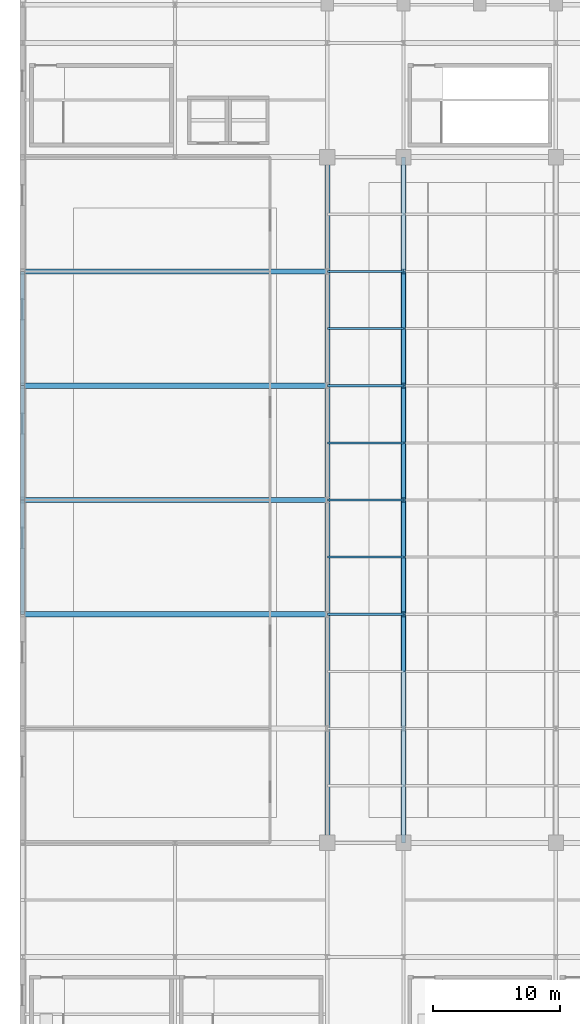
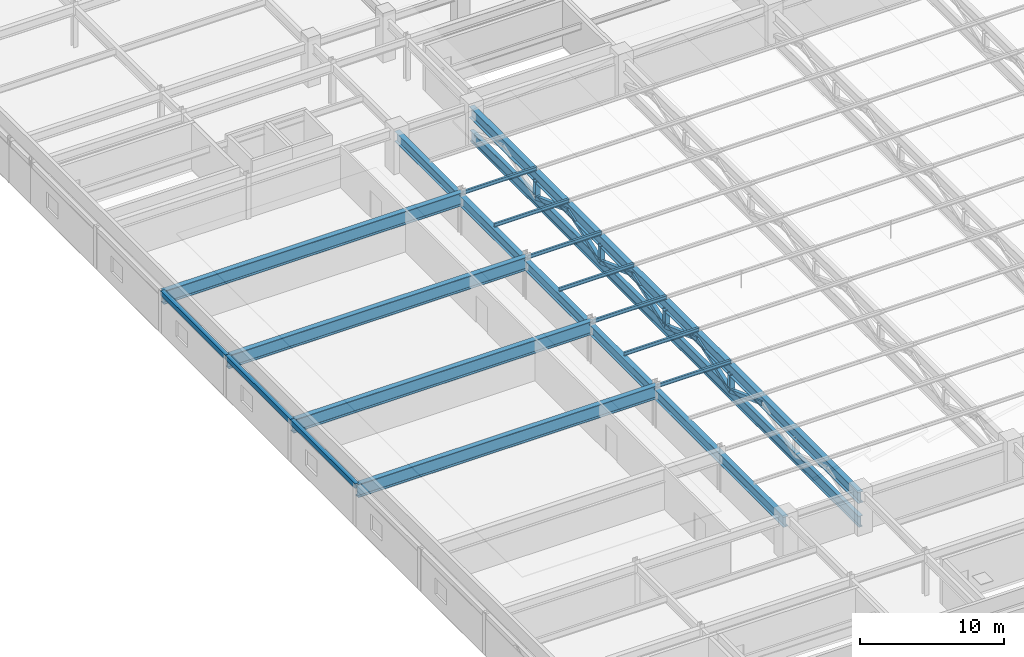
# One storey, part 27 of 108: 19 members, 9 beams.
"""IFC4 building model written with IfcOpenShell, lengths in metres."""

from ifc_helpers import new_model, si_unit, direction, frame, origin, origin_2d, place, context, subcontext, project, spatial, hollow_rectangle, i_section, extrude, material, material_profile, profile_set, type_object, element, save


model = new_model("IFC4")

# Units and contexts
model_context = context("Model", 3, precision=1e-05, world=origin(), true_north=direction((0.0, 1.0)))
body_context = subcontext(model_context, "Body", "Model", "MODEL_VIEW")
ifc_project = project(units=[si_unit("LENGTHUNIT", "METRE"), si_unit("AREAUNIT", "SQUARE_METRE"), si_unit("VOLUMEUNIT", "CUBIC_METRE"), si_unit("PLANEANGLEUNIT", "RADIAN"), si_unit("MASSUNIT", "GRAM", prefix="KILO")], contexts=[model_context])

# Site, building, storey
site_placement = place(None, origin())
site = spatial("IfcSite", under=ifc_project, at=site_placement, CompositionType="ELEMENT")
building_placement = place(site_placement, origin())
building = spatial("IfcBuilding", under=site, at=building_placement, Name="Kaldorvane Square Convention Centre", CompositionType="ELEMENT")
storey_placement = place(building_placement, frame((0.0, 0.0, 23.399993896484375)))
storey = spatial("IfcBuildingStorey", under=building, at=storey_placement, Name="L04", CompositionType="ELEMENT", Elevation=23.399993896484375)

# Beams
ifc_material_1 = material(Name="Steel ASTM A992 Gr. 50", Category="steel")
ifc_material_profile_1 = material_profile(ifc_material_1, i_section(OverallWidth=0.39990234375, OverallDepth=0.855499267578125, WebThickness=0.0182037353515625, FlangeThickness=0.029205322265625, FilletRadius=0.0178070068359375, at=origin_2d()), Name="W33X201")
ifc_profile_set_1 = profile_set([ifc_material_profile_1], Name="Steel ASTM A992 Gr. 50")
beam_type_1 = type_object("IfcBeamType", Name="BM-GR-W33X201", PredefinedType="BEAM", material=ifc_profile_set_1)
beam_1_placement = place(storey_placement, frame((24.0, 18.0, 2.7798004150390625), z_axis=(0.0, 1.0, 0.0), x_axis=(-1.0, 0.0, 0.0)))
element("IfcBeam", 1, at=beam_1_placement, inside=storey, type_object=beam_type_1, Name="West Hall Roof Edge Girder", PredefinedType="BEAM", context=body_context, shape_type="SweptSolid", body=[
    extrude(i_section(OverallWidth=0.39990234375, OverallDepth=0.855499267578125, WebThickness=0.0182037353515625, FlangeThickness=0.029205322265625, FilletRadius=0.0178070068359375, at=origin_2d()), origin(), (0.0, 0.0, 1.0), 54.0),
])
ifc_material_profile_2 = material_profile(ifc_material_1, i_section(OverallWidth=0.423004150390625, OverallDepth=0.9481964111328125, WebThickness=0.0240020751953125, FlangeThickness=0.042694091796875, FilletRadius=0.0240936279296875, at=origin_2d()), Name="W36X302")
ifc_profile_set_2 = profile_set([ifc_material_profile_2], Name="Steel ASTM A992 Gr. 50")
beam_type_2 = type_object("IfcBeamType", Name="BM-GR-W36X302", PredefinedType="BEAM", material=ifc_profile_set_2)
beam_2_placement = place(storey_placement, frame((30.0, 18.0, 2.7335052490234375), z_axis=(0.0, 1.0, 0.0), x_axis=(-1.0, 0.0, 0.0)))
element("IfcBeam", 2, at=beam_2_placement, inside=storey, type_object=beam_type_2, Name="Hall Roof Truss RT-01 Top Chord", PredefinedType="BEAM", context=body_context, shape_type="SweptSolid", body=[
    extrude(i_section(OverallWidth=0.423004150390625, OverallDepth=0.9481964111328125, WebThickness=0.0240020751953125, FlangeThickness=0.042694091796875, FilletRadius=0.0240936279296875, at=origin_2d()), origin(), (0.0, 0.0, 1.0), 54.0),
])
ifc_material_profile_3 = material_profile(ifc_material_1, i_section(OverallWidth=0.404998779296875, OverallDepth=1.1179962158203125, WebThickness=0.0261993408203125, FlangeThickness=0.0449981689453125, FilletRadius=0.0254058837890625, at=origin_2d()), Name="W44X335")
ifc_profile_set_3 = profile_set([ifc_material_profile_3], Name="Steel ASTM A992 Gr. 50")
beam_type_3 = type_object("IfcBeamType", Name="BM-GR-W44X335", PredefinedType="BEAM", material=ifc_profile_set_3)
for number, where, z_axis, x_axis, name in (
    (3, (0.0, 36.0, 2.967010498046875), (1.0, 0.0, 0.0), (0.0, 1.0, 0.0), "Service Yard Long-Span Girder (L04)"),
    (4, (0.0, 45.0, 2.967010498046875), (1.0, 0.0, 0.0), (0.0, 1.0, 0.0), "Service Yard Long-Span Girder (L04)"),
    (5, (0.0, 54.0, 2.967010498046875), (1.0, 0.0, 0.0), (0.0, 1.0, 0.0), "Service Yard Long-Span Girder (L04)"),
    (6, (0.0, 63.0, 2.967010498046875), (1.0, 0.0, 0.0), (0.0, 1.0, 0.0), "Service Yard Long-Span Girder (L04)"),
):
    element("IfcBeam", number, at=place(storey_placement, frame(where, z_axis=z_axis, x_axis=x_axis)), inside=storey, type_object=beam_type_3, Name=name, PredefinedType="BEAM", context=body_context, shape_type="SweptSolid", body=[
        extrude(i_section(OverallWidth=0.404998779296875, OverallDepth=1.1179962158203125, WebThickness=0.0261993408203125, FlangeThickness=0.0449981689453125, FilletRadius=0.0254058837890625, at=origin_2d()), origin(), (0.0, 0.0, 1.0), 24.0),
    ])
ifc_material_2 = material(Name="Steel ASTM A500 Gr. C", Category="steel")
ifc_material_profile_4 = material_profile(ifc_material_2, hollow_rectangle(XDim=0.3047943115234375, YDim=0.406402587890625, WallThickness=0.0117950439453125, at=origin_2d()), Name="HSS16X12X1/2")
ifc_profile_set_4 = profile_set([ifc_material_profile_4], Name="Steel ASTM A500 Gr. C")
beam_type_4 = type_object("IfcBeamType", Name="BM-SP-HSS16", PredefinedType="SPANDREL", material=ifc_profile_set_4)
for number, where, z_axis, x_axis, name in (
    (7, (0.0, 36.0, 3.3227996826171875), (0.0, 1.0, 0.0), (-1.0, 0.0, 0.0), "End Spandrel (L04)"),
    (8, (0.0, 45.0, 3.3227996826171875), (0.0, 1.0, 0.0), (-1.0, 0.0, 0.0), "End Spandrel (L04)"),
    (9, (0.0, 54.0, 3.3227996826171875), (0.0, 1.0, 0.0), (-1.0, 0.0, 0.0), "End Spandrel (L04)"),
):
    element("IfcBeam", number, at=place(storey_placement, frame(where, z_axis=z_axis, x_axis=x_axis)), inside=storey, type_object=beam_type_4, Name=name, PredefinedType="SPANDREL", context=body_context, shape_type="SweptSolid", body=[
        extrude(hollow_rectangle(XDim=0.3047943115234375, YDim=0.406402587890625, WallThickness=0.0117950439453125, at=origin_2d()), origin(), (0.0, 0.0, 1.0), 9.0),
    ])

# Members
ifc_material_profile_5 = material_profile(ifc_material_2, hollow_rectangle(XDim=0.3047943115234375, YDim=0.3047943115234375, WallThickness=0.0117950439453125, at=origin_2d()), Name="HSS12X12X1/2")
ifc_profile_set_5 = profile_set([ifc_material_profile_5], Name="Steel ASTM A500 Gr. C")
member_type_1 = type_object("IfcMemberType", Name="MB-BR-HSS12", PredefinedType="BRACE", material=ifc_profile_set_5)
for number, where, z_axis, x_axis, name in (
    (10, (30.0, 31.5, 2.5535125732421875), (0.0, 0.937283847769, -0.348567050524), (-1.0, 0.0, 0.0), "Hall Roof Truss RT-01 Web 2B"),
    (11, (30.0, 36.0, 0.8800048828125), (0.0, 0.937283847769, 0.348567050524), (-1.0, 0.0, 0.0), "Hall Roof Truss RT-01 Web 3A"),
    (12, (30.0, 40.5, 2.5535125732421875), (0.0, 0.937283847769, -0.348567050524), (-1.0, 0.0, 0.0), "Hall Roof Truss RT-01 Web 3B"),
    (13, (30.0, 45.0, 0.8800048828125), (0.0, 0.937283847769, 0.348567050524), (-1.0, 0.0, 0.0), "Hall Roof Truss RT-01 Web 4A"),
    (14, (30.0, 49.5, 2.5535125732421875), (0.0, 0.937283847769, -0.348567050524), (-1.0, 0.0, 0.0), "Hall Roof Truss RT-01 Web 4B"),
    (15, (30.0, 54.0, 0.8800048828125), (0.0, 0.937283847769, 0.348567050524), (-1.0, 0.0, 0.0), "Hall Roof Truss RT-01 Web 5A"),
    (16, (30.0, 58.5, 2.5535125732421875), (0.0, 0.937283847769, -0.348567050524), (-1.0, 0.0, 0.0), "Hall Roof Truss RT-01 Web 5B"),
):
    element("IfcMember", number, at=place(storey_placement, frame(where, z_axis=z_axis, x_axis=x_axis)), inside=storey, type_object=member_type_1, Name=name, PredefinedType="BRACE", context=body_context, shape_type="SweptSolid", body=[
        extrude(hollow_rectangle(XDim=0.3047943115234375, YDim=0.3047943115234375, WallThickness=0.0117950439453125, at=origin_2d()), origin(), (0.0, 0.0, 1.0), 4.8011016845703125),
    ])
ifc_material_profile_6 = material_profile(ifc_material_1, i_section(OverallWidth=0.310302734375, OverallDepth=0.9506988525390625, WebThickness=0.0243988037109375, FlangeThickness=0.0438995361328125, FilletRadius=0.0240936279296875, at=origin_2d()), Name="W36X256")
ifc_profile_set_6 = profile_set([ifc_material_profile_6], Name="Steel ASTM A992 Gr. 50")
member_type_2 = type_object("IfcMemberType", Name="MB-CH-W36X256", PredefinedType="CHORD", material=ifc_profile_set_6)
member_placement = place(storey_placement, frame((30.0, 18.0, 0.70001220703125), z_axis=(0.0, 1.0, 0.0), x_axis=(-1.0, 0.0, 0.0)))
element("IfcMember", 17, at=member_placement, inside=storey, type_object=member_type_2, Name="Hall Roof Truss RT-01 Bottom Chord", PredefinedType="CHORD", context=body_context, shape_type="SweptSolid", body=[
    extrude(i_section(OverallWidth=0.310302734375, OverallDepth=0.9506988525390625, WebThickness=0.0243988037109375, FlangeThickness=0.0438995361328125, FilletRadius=0.0240936279296875, at=origin_2d()), origin(), (0.0, 0.0, 1.0), 54.0),
])
ifc_material_profile_7 = material_profile(ifc_material_1, i_section(OverallWidth=0.164794921875, OverallDepth=0.310394287109375, WebThickness=0.00579833984375, FlangeThickness=0.00970458984375, FilletRadius=0.007598876953125, at=origin_2d()), Name="W12X26")
ifc_profile_set_7 = profile_set([ifc_material_profile_7], Name="Steel ASTM A992 Gr. 50")
member_type_3 = type_object("IfcMemberType", Name="MB-PR-W12X26", PredefinedType="PURLIN", material=ifc_profile_set_7)
for number, where, z_axis, x_axis, name in (
    (18, (24.0, 36.0, 3.3628082275390625), (1.0, 0.0, 0.0), (0.0, 1.0, 0.0), "Hall Roof Steel Purlin"),
    (19, (24.0, 40.5, 3.3628082275390625), (1.0, 0.0, 0.0), (0.0, 1.0, 0.0), "Hall Roof Steel Purlin"),
    (20, (24.0, 45.0, 3.3628082275390625), (1.0, 0.0, 0.0), (0.0, 1.0, 0.0), "Hall Roof Steel Purlin"),
    (21, (24.0, 49.5, 3.3628082275390625), (1.0, 0.0, 0.0), (0.0, 1.0, 0.0), "Hall Roof Steel Purlin"),
    (22, (24.0, 54.0, 3.3628082275390625), (1.0, 0.0, 0.0), (0.0, 1.0, 0.0), "Hall Roof Steel Purlin"),
    (23, (24.0, 58.5, 3.3628082275390625), (1.0, 0.0, 0.0), (0.0, 1.0, 0.0), "Hall Roof Steel Purlin"),
    (24, (24.0, 63.0, 3.3628082275390625), (1.0, 0.0, 0.0), (0.0, 1.0, 0.0), "Hall Roof Steel Purlin"),
):
    element("IfcMember", number, at=place(storey_placement, frame(where, z_axis=z_axis, x_axis=x_axis)), inside=storey, type_object=member_type_3, Name=name, PredefinedType="PURLIN", context=body_context, shape_type="SweptSolid", body=[
        extrude(i_section(OverallWidth=0.164794921875, OverallDepth=0.310394287109375, WebThickness=0.00579833984375, FlangeThickness=0.00970458984375, FilletRadius=0.007598876953125, at=origin_2d()), origin(), (0.0, 0.0, 1.0), 6.0),
    ])
ifc_material_profile_8 = material_profile(ifc_material_1, i_section(OverallWidth=0.373992919921875, OverallDepth=0.372406005859375, WebThickness=0.0164031982421875, FlangeThickness=0.0261993408203125, FilletRadius=0.0305023193359375, at=origin_2d()), Name="W14X132")
ifc_profile_set_8 = profile_set([ifc_material_profile_8], Name="Steel ASTM A992 Gr. 50")
member_type_4 = type_object("IfcMemberType", Name="MB-PS-W14X132", PredefinedType="POST", material=ifc_profile_set_8)
for number, where, z_axis, x_axis, name in (
    (25, (30.0, 36.0, 1.0500030517578125), (0.0, 0.0, 1.0), (1.0, 0.0, 0.0), "Hall Roof Truss RT-01 Post 2"),
    (26, (30.0, 45.0, 1.0500030517578125), (0.0, 0.0, 1.0), (1.0, 0.0, 0.0), "Hall Roof Truss RT-01 Post 3"),
    (27, (30.0, 54.0, 1.0500030517578125), (0.0, 0.0, 1.0), (1.0, 0.0, 0.0), "Hall Roof Truss RT-01 Post 4"),
    (28, (30.0, 63.0, 1.0500030517578125), (0.0, 0.0, 1.0), (1.0, 0.0, 0.0), "Hall Roof Truss RT-01 Post 5"),
):
    element("IfcMember", number, at=place(storey_placement, frame(where, z_axis=z_axis, x_axis=x_axis)), inside=storey, type_object=member_type_4, Name=name, PredefinedType="POST", context=body_context, shape_type="SweptSolid", body=[
        extrude(i_section(OverallWidth=0.373992919921875, OverallDepth=0.372406005859375, WebThickness=0.0164031982421875, FlangeThickness=0.0261993408203125, FilletRadius=0.0305023193359375, at=origin_2d()), origin(), (0.0, 0.0, 1.0), 1.33349609375),
    ])

save(model, "model.ifc")
